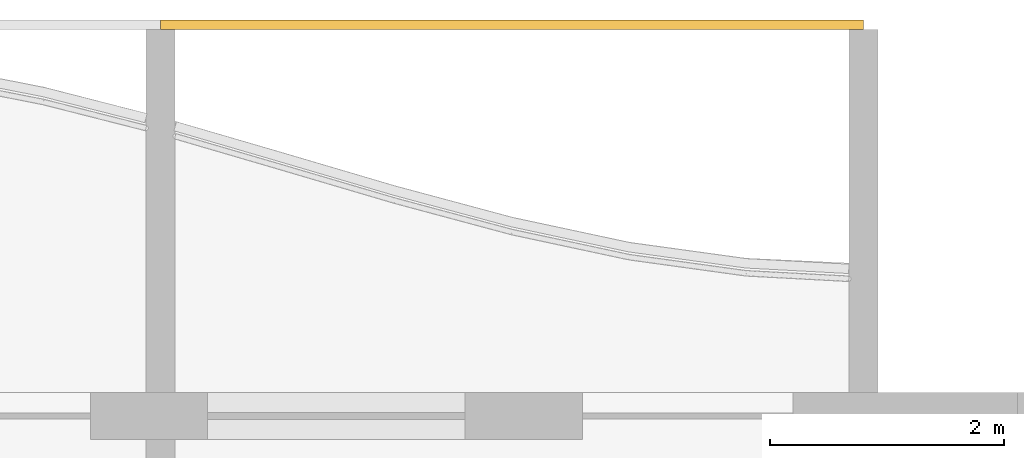
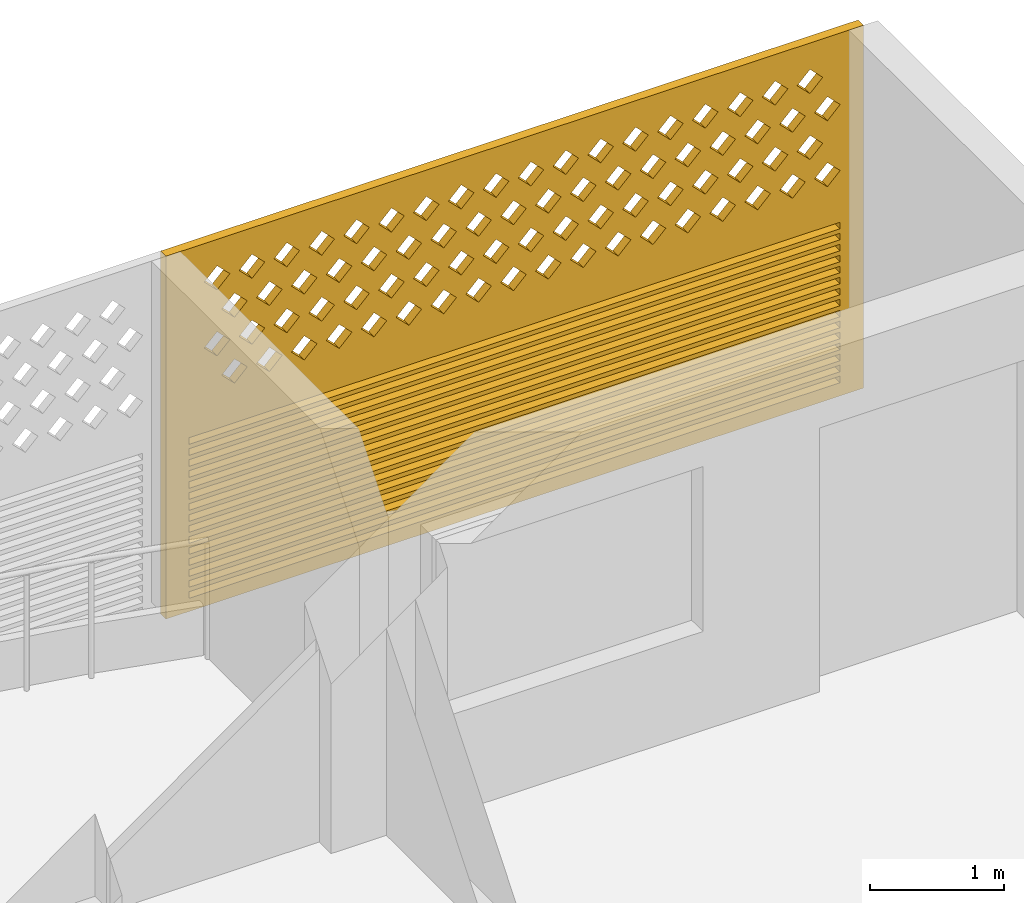
# One storey, part 27 of 27: 1 covering.
"""IFC4 building model written with IfcOpenShell, lengths in metres."""

import ifcopenshell
import ifcopenshell.guid

model = None  # the IFC model being written
_history = None  # IfcOwnerHistory: only IFC2X3 demands one
_inside = {}  # id of a spatial element -> (the spatial element, [elements in it])
_under = {}  # id of a project, library or spatial element -> (it, [spatial elements below it])
_declared = {}  # id of a project -> (the project, [libraries it declares])
_typed = {}  # id of a type object -> (the type object, [elements of that type])
_made_of = {}  # id of a material, layer set ... -> (it, [elements and type objects made of it])


def new_model(schema):
    """Start an empty IFC model of exactly this schema.

    Asked for "IFC4X3", IfcOpenShell would pick the latest addendum, in which some entities
    have other attributes; the version numbers below select the first issue.
    IFC2X3 requires an IfcOwnerHistory on every rooted entity: one is made here for all.
    """
    global model, _history
    if schema == "IFC4X3":
        model = ifcopenshell.file(schema_version=(4, 3, 0, 0))
    else:
        model = ifcopenshell.file(schema=schema)
    _inside.clear()
    _under.clear()
    _declared.clear()
    _typed.clear()
    _made_of.clear()
    _history = None
    if model.schema == "IFC2X3":
        org = make("IfcOrganization", Name="unknown")
        user = make(
            "IfcPersonAndOrganization",
            ThePerson=make("IfcPerson", FamilyName="unknown"),
            TheOrganization=org,
        )
        app = make(
            "IfcApplication",
            ApplicationDeveloper=org,
            Version="unknown",
            ApplicationFullName="unknown",
            ApplicationIdentifier="unknown",
        )
        _history = make(
            "IfcOwnerHistory",
            OwningUser=user,
            OwningApplication=app,
            ChangeAction="ADDED",
            CreationDate=0,
        )
    return model


def make(cls, **values):
    """One entity of the class cls with the attributes given. An attribute that is None is left unset."""
    return model.create_entity(
        cls, **{name: value for name, value in values.items() if value is not None}
    )


def rooted(cls, **values):
    """An entity with a GlobalId (a new one), such as an element, a storey or a relation."""
    return make(cls, GlobalId=ifcopenshell.guid.new(), OwnerHistory=_history, **values)


def si_unit(unit_type, name, prefix=None):
    """IfcSIUnit, for example si_unit("LENGTHUNIT", "METRE", prefix="MILLI")."""
    return make("IfcSIUnit", UnitType=unit_type, Prefix=prefix, Name=name)


def assignment(units):
    """IfcUnitAssignment: the units of a project."""
    return None if units is None else make("IfcUnitAssignment", Units=units)


def point(xyz):
    """IfcCartesianPoint."""
    return None if xyz is None else make("IfcCartesianPoint", Coordinates=xyz)


def direction(xyz):
    """IfcDirection."""
    return None if xyz is None else make("IfcDirection", DirectionRatios=xyz)


def frame(location, z_axis=None, x_axis=None):
    """IfcAxis2Placement3D, a coordinate frame: its origin and axes. An axis left out is left unset."""
    return make(
        "IfcAxis2Placement3D",
        Location=point(location),
        Axis=direction(z_axis),
        RefDirection=direction(x_axis),
    )


def origin():
    """The frame at (0, 0, 0) with its axes left unset."""
    return frame((0.0, 0.0, 0.0))


def place(relative_to, where):
    """IfcLocalPlacement: puts the frame where relative to a parent placement (None: the world)."""
    return make(
        "IfcLocalPlacement", PlacementRelTo=relative_to, RelativePlacement=where
    )


def context(
    kind, dimensions, precision=None, world=None, true_north=None, identifier=None
):
    """IfcGeometricRepresentationContext, for example the 3D "Model" context."""
    return make(
        "IfcGeometricRepresentationContext",
        ContextIdentifier=identifier,
        ContextType=kind,
        CoordinateSpaceDimension=dimensions,
        Precision=precision,
        WorldCoordinateSystem=world,
        TrueNorth=true_north,
    )


def subcontext(parent, identifier, kind, view, scale=None):
    """IfcGeometricRepresentationSubContext, for example "Body" below "Model"."""
    return make(
        "IfcGeometricRepresentationSubContext",
        ContextIdentifier=identifier,
        ContextType=kind,
        ParentContext=parent,
        TargetScale=scale,
        TargetView=view,
    )


def project(units=None, contexts=None):
    """IfcProject with its units and contexts."""
    return rooted(
        "IfcProject",
        Name="project",
        RepresentationContexts=contexts,
        UnitsInContext=assignment(units),
    )


def spatial(cls, under=None, at=None, **own):
    """A site, building, storey or space (cls), placed at a placement, below another one or the project."""
    s = rooted(cls, ObjectPlacement=at, **own)
    if under is not None:
        _under.setdefault(under.id(), (under, []))[1].append(s)
    return s


def polyline(points):
    """IfcPolyline through the points."""
    return make("IfcPolyline", Points=[point(p) for p in points])


def outline(outer, holes=None, kind="AREA"):
    """IfcArbitraryClosedProfileDef: a profile drawn as a closed curve; with holes, ...WithVoids."""
    if holes is None:
        return make("IfcArbitraryClosedProfileDef", ProfileType=kind, OuterCurve=outer)
    return make(
        "IfcArbitraryProfileDefWithVoids",
        ProfileType=kind,
        OuterCurve=outer,
        InnerCurves=holes,
    )


def extrude(swept, where, along, depth):
    """IfcExtrudedAreaSolid: the profile swept, set in the frame where, extruded along a direction by depth."""
    return make(
        "IfcExtrudedAreaSolid",
        SweptArea=swept,
        Position=where,
        ExtrudedDirection=direction(along),
        Depth=depth,
    )


def shape(context_of_items, identifier, shape_type, items):
    """IfcShapeRepresentation: the items that make up one representation, for example the "Body"."""
    return make(
        "IfcShapeRepresentation",
        ContextOfItems=context_of_items,
        RepresentationIdentifier=identifier,
        RepresentationType=shape_type,
        Items=items,
    )


def source(mapping_origin, context_of_items, identifier, shape_type, items):
    """IfcRepresentationMap: a shape defined once, which mapped items show again and again."""
    return make(
        "IfcRepresentationMap",
        MappingOrigin=mapping_origin,
        MappedRepresentation=shape(context_of_items, identifier, shape_type, items),
    )


def transform(
    local_origin,
    x_axis=None,
    y_axis=None,
    z_axis=None,
    scale=None,
    scale2=None,
    scale3=None,
    uniform=True,
):
    """IfcCartesianTransformationOperator3D, or its non-uniform kind. x_axis, y_axis, z_axis: its Axis1, 2, 3."""
    if uniform:
        return make(
            "IfcCartesianTransformationOperator3D",
            Axis1=direction(x_axis),
            Axis2=direction(y_axis),
            LocalOrigin=point(local_origin),
            Scale=scale,
            Axis3=direction(z_axis),
        )
    return make(
        "IfcCartesianTransformationOperator3DnonUniform",
        Axis1=direction(x_axis),
        Axis2=direction(y_axis),
        LocalOrigin=point(local_origin),
        Scale=scale,
        Axis3=direction(z_axis),
        Scale2=scale2,
        Scale3=scale3,
    )


def mapped(mapping_source, mapping_target):
    """IfcMappedItem: shows the shape of a source again, moved by a transform."""
    return make(
        "IfcMappedItem", MappingSource=mapping_source, MappingTarget=mapping_target
    )


def material(Name=None, Category=None):
    """IfcMaterial."""
    return make("IfcMaterial", Name=Name, Category=Category)


def material_profile(
    of_material, cross_section, Name=None, Category=None, Priority=None
):
    """IfcMaterialProfile: a cross section and its material."""
    return make(
        "IfcMaterialProfile",
        Name=Name,
        Material=of_material,
        Profile=cross_section,
        Priority=Priority,
        Category=Category,
    )


def profile_set(profiles, Name=None, composite=None):
    """IfcMaterialProfileSet."""
    return make(
        "IfcMaterialProfileSet",
        Name=Name,
        MaterialProfiles=profiles,
        CompositeProfile=composite,
    )


def made_of(thing, what):
    """Note that an element or type object is made of a material, layer set ...; save() writes the relation."""
    if what is not None:
        _made_of.setdefault(what.id(), (what, []))[1].append(thing)
    return thing


def type_object(cls, material=None, **own):
    """A type object (cls), such as IfcWallType, which elements share."""
    return made_of(rooted(cls, **own), material)


def element(
    cls,
    number,
    at=None,
    inside=None,
    cuts=None,
    type_object=None,
    material=None,
    context=None,
    identifier="Body",
    shape_type=None,
    held_by="IfcProductDefinitionShape",
    body=None,
    shapes=None,
    **own,
):
    """One element of the class cls, such as IfcWall. Its Tag is "e" and its number.

    at: its placement. inside: the storey or other place that contains it. cuts: it is an
    opening in that element (IfcRelVoidsElement). A single representation is given by context,
    identifier, shape_type and body (its items); several are given by shapes. held_by: the class
    of the entity that holds the representations. save() writes the other relations.
    """
    e = rooted(cls, Tag="e%d" % number, ObjectPlacement=at, **own)
    if body is not None:
        shapes = [shape(context, identifier, shape_type, body)]
    if shapes is not None:
        e.Representation = make(held_by, Representations=shapes)
    if inside is not None:
        _inside.setdefault(inside.id(), (inside, []))[1].append(e)
    if cuts is not None:
        rooted(
            "IfcRelVoidsElement", RelatingBuildingElement=cuts, RelatedOpeningElement=e
        )
    if type_object is not None:
        _typed.setdefault(type_object.id(), (type_object, []))[1].append(e)
    return made_of(e, material)


def aggregate(whole, parts):
    """IfcRelAggregates: a whole, such as a stair, and the parts it consists of."""
    return rooted("IfcRelAggregates", RelatingObject=whole, RelatedObjects=parts)


def save(model, path):
    """Write the relations noted so far, then the file.

    IfcRelAggregates (storeys below a building ...), IfcRelContainedInSpatialStructure (elements
    in a storey), IfcRelDefinesByType, IfcRelAssociatesMaterial and IfcRelDeclares: one each for
    every whole, place, type object, material and project.
    """
    for whole, parts in _under.values():
        aggregate(whole, parts)
    for where, things in _inside.values():
        rooted(
            "IfcRelContainedInSpatialStructure",
            RelatedElements=things,
            RelatingStructure=where,
        )
    for kind, things in _typed.values():
        rooted("IfcRelDefinesByType", RelatedObjects=things, RelatingType=kind)
    for what, things in _made_of.values():
        rooted("IfcRelAssociatesMaterial", RelatedObjects=things, RelatingMaterial=what)
    for by, libraries in _declared.values():
        rooted("IfcRelDeclares", RelatingContext=by, RelatedDefinitions=libraries)
    model.write(path)


model = new_model("IFC4")

# Units and contexts
model_context = context("Model", 3, precision=1e-05, world=origin(), true_north=direction((0.0, 1.0)))
body_context = subcontext(model_context, "Body", "Model", "MODEL_VIEW")
ifc_project = project(units=[si_unit("LENGTHUNIT", "METRE"), si_unit("AREAUNIT", "SQUARE_METRE"), si_unit("VOLUMEUNIT", "CUBIC_METRE"), si_unit("PLANEANGLEUNIT", "RADIAN"), si_unit("MASSUNIT", "GRAM", prefix="KILO")], contexts=[model_context])

# Site, building, storey
site_placement = place(None, origin())
site = spatial("IfcSite", under=ifc_project, at=site_placement, CompositionType="ELEMENT")
building_placement = place(site_placement, origin())
building = spatial("IfcBuilding", under=site, at=building_placement, Name="Poui Terraces", CompositionType="ELEMENT")
storey_placement = place(building_placement, frame((0.0, 0.0, 251.10009765625)))
storey = spatial("IfcBuildingStorey", under=building, at=storey_placement, Name="L70", CompositionType="ELEMENT", Elevation=251.10009765625)

# Covering
ifc_material = material(Name="Terracotta screen", Category="masonry")
ifc_material_profile = material_profile(ifc_material, outline(polyline([(-3.0, -1.64990234375), (3.0, -1.64990234375), (3.0, 1.64990234375), (-3.0, 1.64990234375), (-3.0, -1.64990234375)]), holes=[polyline([(-2.800048828125, 0.39990234375), (-2.68994140625, 0.2900390625), (-2.580078125, 0.39990234375), (-2.68994140625, 0.510009765625), (-2.800048828125, 0.39990234375)]), polyline([(-2.5, 0.39990234375), (-2.389892578125, 0.2900390625), (-2.280029296875, 0.39990234375), (-2.389892578125, 0.510009765625), (-2.5, 0.39990234375)]), polyline([(-2.199951171875, 0.39990234375), (-2.090087890625, 0.2900390625), (-1.97998046875, 0.39990234375), (-2.090087890625, 0.510009765625), (-2.199951171875, 0.39990234375)]), polyline([(-1.89990234375, 0.39990234375), (-1.7900390625, 0.2900390625), (-1.679931640625, 0.39990234375), (-1.7900390625, 0.510009765625), (-1.89990234375, 0.39990234375)]), polyline([(-1.60009765625, 0.39990234375), (-1.489990234375, 0.2900390625), (-1.3798828125, 0.39990234375), (-1.489990234375, 0.510009765625), (-1.60009765625, 0.39990234375)]), polyline([(-1.300048828125, 0.39990234375), (-1.18994140625, 0.2900390625), (-1.080078125, 0.39990234375), (-1.18994140625, 0.510009765625), (-1.300048828125, 0.39990234375)]), polyline([(-1.0, 0.39990234375), (-0.889892578125, 0.2900390625), (-0.780029296875, 0.39990234375), (-0.889892578125, 0.510009765625), (-1.0, 0.39990234375)]), polyline([(-0.699951171875, 0.39990234375), (-0.590087890625, 0.2900390625), (-0.47998046875, 0.39990234375), (-0.590087890625, 0.510009765625), (-0.699951171875, 0.39990234375)]), polyline([(-0.39990234375, 0.39990234375), (-0.2900390625, 0.2900390625), (-0.179931640625, 0.39990234375), (-0.2900390625, 0.510009765625), (-0.39990234375, 0.39990234375)]), polyline([(-0.10009765625, 0.39990234375), (0.010009765625, 0.2900390625), (0.1201171875, 0.39990234375), (0.010009765625, 0.510009765625), (-0.10009765625, 0.39990234375)]), polyline([(0.199951171875, 0.39990234375), (0.31005859375, 0.2900390625), (0.419921875, 0.39990234375), (0.31005859375, 0.510009765625), (0.199951171875, 0.39990234375)]), polyline([(0.5, 0.39990234375), (0.610107421875, 0.2900390625), (0.719970703125, 0.39990234375), (0.610107421875, 0.510009765625), (0.5, 0.39990234375)]), polyline([(0.800048828125, 0.39990234375), (0.909912109375, 0.2900390625), (1.02001953125, 0.39990234375), (0.909912109375, 0.510009765625), (0.800048828125, 0.39990234375)]), polyline([(1.10009765625, 0.39990234375), (1.2099609375, 0.2900390625), (1.320068359375, 0.39990234375), (1.2099609375, 0.510009765625), (1.10009765625, 0.39990234375)]), polyline([(1.39990234375, 0.39990234375), (1.510009765625, 0.2900390625), (1.6201171875, 0.39990234375), (1.510009765625, 0.510009765625), (1.39990234375, 0.39990234375)]), polyline([(1.699951171875, 0.39990234375), (1.81005859375, 0.2900390625), (1.919921875, 0.39990234375), (1.81005859375, 0.510009765625), (1.699951171875, 0.39990234375)]), polyline([(2.0, 0.39990234375), (2.110107421875, 0.2900390625), (2.219970703125, 0.39990234375), (2.110107421875, 0.510009765625), (2.0, 0.39990234375)]), polyline([(2.300048828125, 0.39990234375), (2.409912109375, 0.2900390625), (2.52001953125, 0.39990234375), (2.409912109375, 0.510009765625), (2.300048828125, 0.39990234375)]), polyline([(-2.64990234375, 0.699951171875), (-2.5400390625, 0.590087890625), (-2.429931640625, 0.699951171875), (-2.5400390625, 0.81005859375), (-2.64990234375, 0.699951171875)]), polyline([(-2.35009765625, 0.699951171875), (-2.239990234375, 0.590087890625), (-2.1298828125, 0.699951171875), (-2.239990234375, 0.81005859375), (-2.35009765625, 0.699951171875)]), polyline([(-2.050048828125, 0.699951171875), (-1.93994140625, 0.590087890625), (-1.830078125, 0.699951171875), (-1.93994140625, 0.81005859375), (-2.050048828125, 0.699951171875)]), polyline([(-1.75, 0.699951171875), (-1.639892578125, 0.590087890625), (-1.530029296875, 0.699951171875), (-1.639892578125, 0.81005859375), (-1.75, 0.699951171875)]), polyline([(-1.449951171875, 0.699951171875), (-1.340087890625, 0.590087890625), (-1.22998046875, 0.699951171875), (-1.340087890625, 0.81005859375), (-1.449951171875, 0.699951171875)]), polyline([(-1.14990234375, 0.699951171875), (-1.0400390625, 0.590087890625), (-0.929931640625, 0.699951171875), (-1.0400390625, 0.81005859375), (-1.14990234375, 0.699951171875)]), polyline([(-0.85009765625, 0.699951171875), (-0.739990234375, 0.590087890625), (-0.6298828125, 0.699951171875), (-0.739990234375, 0.81005859375), (-0.85009765625, 0.699951171875)]), polyline([(-0.550048828125, 0.699951171875), (-0.43994140625, 0.590087890625), (-0.330078125, 0.699951171875), (-0.43994140625, 0.81005859375), (-0.550048828125, 0.699951171875)]), polyline([(-0.25, 0.699951171875), (-0.139892578125, 0.590087890625), (-0.030029296875, 0.699951171875), (-0.139892578125, 0.81005859375), (-0.25, 0.699951171875)]), polyline([(0.050048828125, 0.699951171875), (0.159912109375, 0.590087890625), (0.27001953125, 0.699951171875), (0.159912109375, 0.81005859375), (0.050048828125, 0.699951171875)]), polyline([(0.35009765625, 0.699951171875), (0.4599609375, 0.590087890625), (0.570068359375, 0.699951171875), (0.4599609375, 0.81005859375), (0.35009765625, 0.699951171875)]), polyline([(0.64990234375, 0.699951171875), (0.760009765625, 0.590087890625), (0.8701171875, 0.699951171875), (0.760009765625, 0.81005859375), (0.64990234375, 0.699951171875)]), polyline([(0.949951171875, 0.699951171875), (1.06005859375, 0.590087890625), (1.169921875, 0.699951171875), (1.06005859375, 0.81005859375), (0.949951171875, 0.699951171875)]), polyline([(1.25, 0.699951171875), (1.360107421875, 0.590087890625), (1.469970703125, 0.699951171875), (1.360107421875, 0.81005859375), (1.25, 0.699951171875)]), polyline([(1.550048828125, 0.699951171875), (1.659912109375, 0.590087890625), (1.77001953125, 0.699951171875), (1.659912109375, 0.81005859375), (1.550048828125, 0.699951171875)]), polyline([(1.85009765625, 0.699951171875), (1.9599609375, 0.590087890625), (2.070068359375, 0.699951171875), (1.9599609375, 0.81005859375), (1.85009765625, 0.699951171875)]), polyline([(2.14990234375, 0.699951171875), (2.260009765625, 0.590087890625), (2.3701171875, 0.699951171875), (2.260009765625, 0.81005859375), (2.14990234375, 0.699951171875)]), polyline([(2.449951171875, 0.699951171875), (2.56005859375, 0.590087890625), (2.669921875, 0.699951171875), (2.56005859375, 0.81005859375), (2.449951171875, 0.699951171875)]), polyline([(-2.800048828125, 1.0), (-2.68994140625, 0.889892578125), (-2.580078125, 1.0), (-2.68994140625, 1.110107421875), (-2.800048828125, 1.0)]), polyline([(-2.5, 1.0), (-2.389892578125, 0.889892578125), (-2.280029296875, 1.0), (-2.389892578125, 1.110107421875), (-2.5, 1.0)]), polyline([(-2.199951171875, 1.0), (-2.090087890625, 0.889892578125), (-1.97998046875, 1.0), (-2.090087890625, 1.110107421875), (-2.199951171875, 1.0)]), polyline([(-1.89990234375, 1.0), (-1.7900390625, 0.889892578125), (-1.679931640625, 1.0), (-1.7900390625, 1.110107421875), (-1.89990234375, 1.0)]), polyline([(-1.60009765625, 1.0), (-1.489990234375, 0.889892578125), (-1.3798828125, 1.0), (-1.489990234375, 1.110107421875), (-1.60009765625, 1.0)]), polyline([(-1.300048828125, 1.0), (-1.18994140625, 0.889892578125), (-1.080078125, 1.0), (-1.18994140625, 1.110107421875), (-1.300048828125, 1.0)]), polyline([(-1.0, 1.0), (-0.889892578125, 0.889892578125), (-0.780029296875, 1.0), (-0.889892578125, 1.110107421875), (-1.0, 1.0)]), polyline([(-0.699951171875, 1.0), (-0.590087890625, 0.889892578125), (-0.47998046875, 1.0), (-0.590087890625, 1.110107421875), (-0.699951171875, 1.0)]), polyline([(-0.39990234375, 1.0), (-0.2900390625, 0.889892578125), (-0.179931640625, 1.0), (-0.2900390625, 1.110107421875), (-0.39990234375, 1.0)]), polyline([(-0.10009765625, 1.0), (0.010009765625, 0.889892578125), (0.1201171875, 1.0), (0.010009765625, 1.110107421875), (-0.10009765625, 1.0)]), polyline([(0.199951171875, 1.0), (0.31005859375, 0.889892578125), (0.419921875, 1.0), (0.31005859375, 1.110107421875), (0.199951171875, 1.0)]), polyline([(0.5, 1.0), (0.610107421875, 0.889892578125), (0.719970703125, 1.0), (0.610107421875, 1.110107421875), (0.5, 1.0)]), polyline([(0.800048828125, 1.0), (0.909912109375, 0.889892578125), (1.02001953125, 1.0), (0.909912109375, 1.110107421875), (0.800048828125, 1.0)]), polyline([(1.10009765625, 1.0), (1.2099609375, 0.889892578125), (1.320068359375, 1.0), (1.2099609375, 1.110107421875), (1.10009765625, 1.0)]), polyline([(1.39990234375, 1.0), (1.510009765625, 0.889892578125), (1.6201171875, 1.0), (1.510009765625, 1.110107421875), (1.39990234375, 1.0)]), polyline([(1.699951171875, 1.0), (1.81005859375, 0.889892578125), (1.919921875, 1.0), (1.81005859375, 1.110107421875), (1.699951171875, 1.0)]), polyline([(2.0, 1.0), (2.110107421875, 0.889892578125), (2.219970703125, 1.0), (2.110107421875, 1.110107421875), (2.0, 1.0)]), polyline([(2.300048828125, 1.0), (2.409912109375, 0.889892578125), (2.52001953125, 1.0), (2.409912109375, 1.110107421875), (2.300048828125, 1.0)]), polyline([(-2.64990234375, 1.300048828125), (-2.5400390625, 1.18994140625), (-2.429931640625, 1.300048828125), (-2.5400390625, 1.409912109375), (-2.64990234375, 1.300048828125)]), polyline([(-2.35009765625, 1.300048828125), (-2.239990234375, 1.18994140625), (-2.1298828125, 1.300048828125), (-2.239990234375, 1.409912109375), (-2.35009765625, 1.300048828125)]), polyline([(-2.050048828125, 1.300048828125), (-1.93994140625, 1.18994140625), (-1.830078125, 1.300048828125), (-1.93994140625, 1.409912109375), (-2.050048828125, 1.300048828125)]), polyline([(-1.75, 1.300048828125), (-1.639892578125, 1.18994140625), (-1.530029296875, 1.300048828125), (-1.639892578125, 1.409912109375), (-1.75, 1.300048828125)]), polyline([(-1.449951171875, 1.300048828125), (-1.340087890625, 1.18994140625), (-1.22998046875, 1.300048828125), (-1.340087890625, 1.409912109375), (-1.449951171875, 1.300048828125)]), polyline([(-1.14990234375, 1.300048828125), (-1.0400390625, 1.18994140625), (-0.929931640625, 1.300048828125), (-1.0400390625, 1.409912109375), (-1.14990234375, 1.300048828125)]), polyline([(-0.85009765625, 1.300048828125), (-0.739990234375, 1.18994140625), (-0.6298828125, 1.300048828125), (-0.739990234375, 1.409912109375), (-0.85009765625, 1.300048828125)]), polyline([(-0.550048828125, 1.300048828125), (-0.43994140625, 1.18994140625), (-0.330078125, 1.300048828125), (-0.43994140625, 1.409912109375), (-0.550048828125, 1.300048828125)]), polyline([(-0.25, 1.300048828125), (-0.139892578125, 1.18994140625), (-0.030029296875, 1.300048828125), (-0.139892578125, 1.409912109375), (-0.25, 1.300048828125)]), polyline([(0.050048828125, 1.300048828125), (0.159912109375, 1.18994140625), (0.27001953125, 1.300048828125), (0.159912109375, 1.409912109375), (0.050048828125, 1.300048828125)]), polyline([(0.35009765625, 1.300048828125), (0.4599609375, 1.18994140625), (0.570068359375, 1.300048828125), (0.4599609375, 1.409912109375), (0.35009765625, 1.300048828125)]), polyline([(0.64990234375, 1.300048828125), (0.760009765625, 1.18994140625), (0.8701171875, 1.300048828125), (0.760009765625, 1.409912109375), (0.64990234375, 1.300048828125)]), polyline([(0.949951171875, 1.300048828125), (1.06005859375, 1.18994140625), (1.169921875, 1.300048828125), (1.06005859375, 1.409912109375), (0.949951171875, 1.300048828125)]), polyline([(1.25, 1.300048828125), (1.360107421875, 1.18994140625), (1.469970703125, 1.300048828125), (1.360107421875, 1.409912109375), (1.25, 1.300048828125)]), polyline([(1.550048828125, 1.300048828125), (1.659912109375, 1.18994140625), (1.77001953125, 1.300048828125), (1.659912109375, 1.409912109375), (1.550048828125, 1.300048828125)]), polyline([(1.85009765625, 1.300048828125), (1.9599609375, 1.18994140625), (2.070068359375, 1.300048828125), (1.9599609375, 1.409912109375), (1.85009765625, 1.300048828125)]), polyline([(2.14990234375, 1.300048828125), (2.260009765625, 1.18994140625), (2.3701171875, 1.300048828125), (2.260009765625, 1.409912109375), (2.14990234375, 1.300048828125)]), polyline([(2.449951171875, 1.300048828125), (2.56005859375, 1.18994140625), (2.669921875, 1.300048828125), (2.56005859375, 1.409912109375), (2.449951171875, 1.300048828125)]), polyline([(-2.800048828125, -1.530029296875), (2.800048828125, -1.530029296875), (2.800048828125, -1.469970703125), (-2.800048828125, -1.469970703125), (-2.800048828125, -1.530029296875)]), polyline([(-2.800048828125, -1.429931640625), (2.800048828125, -1.429931640625), (2.800048828125, -1.3701171875), (-2.800048828125, -1.3701171875), (-2.800048828125, -1.429931640625)]), polyline([(-2.800048828125, -1.330078125), (2.800048828125, -1.330078125), (2.800048828125, -1.27001953125), (-2.800048828125, -1.27001953125), (-2.800048828125, -1.330078125)]), polyline([(-2.800048828125, -1.22998046875), (2.800048828125, -1.22998046875), (2.800048828125, -1.169921875), (-2.800048828125, -1.169921875), (-2.800048828125, -1.22998046875)]), polyline([(-2.800048828125, -1.1298828125), (2.800048828125, -1.1298828125), (2.800048828125, -1.070068359375), (-2.800048828125, -1.070068359375), (-2.800048828125, -1.1298828125)]), polyline([(-2.800048828125, -1.030029296875), (2.800048828125, -1.030029296875), (2.800048828125, -0.969970703125), (-2.800048828125, -0.969970703125), (-2.800048828125, -1.030029296875)]), polyline([(-2.800048828125, -0.929931640625), (2.800048828125, -0.929931640625), (2.800048828125, -0.8701171875), (-2.800048828125, -0.8701171875), (-2.800048828125, -0.929931640625)]), polyline([(-2.800048828125, -0.830078125), (2.800048828125, -0.830078125), (2.800048828125, -0.77001953125), (-2.800048828125, -0.77001953125), (-2.800048828125, -0.830078125)]), polyline([(-2.800048828125, -0.72998046875), (2.800048828125, -0.72998046875), (2.800048828125, -0.669921875), (-2.800048828125, -0.669921875), (-2.800048828125, -0.72998046875)]), polyline([(-2.800048828125, -0.6298828125), (2.800048828125, -0.6298828125), (2.800048828125, -0.570068359375), (-2.800048828125, -0.570068359375), (-2.800048828125, -0.6298828125)]), polyline([(-2.800048828125, -0.530029296875), (2.800048828125, -0.530029296875), (2.800048828125, -0.469970703125), (-2.800048828125, -0.469970703125), (-2.800048828125, -0.530029296875)]), polyline([(-2.800048828125, -0.429931640625), (2.800048828125, -0.429931640625), (2.800048828125, -0.3701171875), (-2.800048828125, -0.3701171875), (-2.800048828125, -0.429931640625)]), polyline([(-2.800048828125, -0.330078125), (2.800048828125, -0.330078125), (2.800048828125, -0.27001953125), (-2.800048828125, -0.27001953125), (-2.800048828125, -0.330078125)]), polyline([(-2.800048828125, -0.22998046875), (2.800048828125, -0.22998046875), (2.800048828125, -0.169921875), (-2.800048828125, -0.169921875), (-2.800048828125, -0.22998046875)]), polyline([(-2.800048828125, -0.1298828125), (2.800048828125, -0.1298828125), (2.800048828125, -0.070068359375), (-2.800048828125, -0.070068359375), (-2.800048828125, -0.1298828125)])]), Name="TERRACOTTA SCREEN AND JALOUSIE LOUVRE 6000X3300")
ifc_profile_set = profile_set([ifc_material_profile], Name="Terracotta screen")
covering_type = type_object("IfcCoveringType", Name="TERRACOTTA SCREEN AND JALOUSIE LOUVRE 6000X3300", PredefinedType="CLADDING", material=ifc_profile_set)
shared_shape = source(origin(), body_context, "Body", "SweptSolid", [
    extrude(outline(polyline([(-3.0, -1.64990234375), (3.0, -1.64990234375), (3.0, 1.64990234375), (-3.0, 1.64990234375), (-3.0, -1.64990234375)]), holes=[polyline([(-2.800048828125, 0.39990234375), (-2.68994140625, 0.2900390625), (-2.580078125, 0.39990234375), (-2.68994140625, 0.510009765625), (-2.800048828125, 0.39990234375)]), polyline([(-2.5, 0.39990234375), (-2.389892578125, 0.2900390625), (-2.280029296875, 0.39990234375), (-2.389892578125, 0.510009765625), (-2.5, 0.39990234375)]), polyline([(-2.199951171875, 0.39990234375), (-2.090087890625, 0.2900390625), (-1.97998046875, 0.39990234375), (-2.090087890625, 0.510009765625), (-2.199951171875, 0.39990234375)]), polyline([(-1.89990234375, 0.39990234375), (-1.7900390625, 0.2900390625), (-1.679931640625, 0.39990234375), (-1.7900390625, 0.510009765625), (-1.89990234375, 0.39990234375)]), polyline([(-1.60009765625, 0.39990234375), (-1.489990234375, 0.2900390625), (-1.3798828125, 0.39990234375), (-1.489990234375, 0.510009765625), (-1.60009765625, 0.39990234375)]), polyline([(-1.300048828125, 0.39990234375), (-1.18994140625, 0.2900390625), (-1.080078125, 0.39990234375), (-1.18994140625, 0.510009765625), (-1.300048828125, 0.39990234375)]), polyline([(-1.0, 0.39990234375), (-0.889892578125, 0.2900390625), (-0.780029296875, 0.39990234375), (-0.889892578125, 0.510009765625), (-1.0, 0.39990234375)]), polyline([(-0.699951171875, 0.39990234375), (-0.590087890625, 0.2900390625), (-0.47998046875, 0.39990234375), (-0.590087890625, 0.510009765625), (-0.699951171875, 0.39990234375)]), polyline([(-0.39990234375, 0.39990234375), (-0.2900390625, 0.2900390625), (-0.179931640625, 0.39990234375), (-0.2900390625, 0.510009765625), (-0.39990234375, 0.39990234375)]), polyline([(-0.10009765625, 0.39990234375), (0.010009765625, 0.2900390625), (0.1201171875, 0.39990234375), (0.010009765625, 0.510009765625), (-0.10009765625, 0.39990234375)]), polyline([(0.199951171875, 0.39990234375), (0.31005859375, 0.2900390625), (0.419921875, 0.39990234375), (0.31005859375, 0.510009765625), (0.199951171875, 0.39990234375)]), polyline([(0.5, 0.39990234375), (0.610107421875, 0.2900390625), (0.719970703125, 0.39990234375), (0.610107421875, 0.510009765625), (0.5, 0.39990234375)]), polyline([(0.800048828125, 0.39990234375), (0.909912109375, 0.2900390625), (1.02001953125, 0.39990234375), (0.909912109375, 0.510009765625), (0.800048828125, 0.39990234375)]), polyline([(1.10009765625, 0.39990234375), (1.2099609375, 0.2900390625), (1.320068359375, 0.39990234375), (1.2099609375, 0.510009765625), (1.10009765625, 0.39990234375)]), polyline([(1.39990234375, 0.39990234375), (1.510009765625, 0.2900390625), (1.6201171875, 0.39990234375), (1.510009765625, 0.510009765625), (1.39990234375, 0.39990234375)]), polyline([(1.699951171875, 0.39990234375), (1.81005859375, 0.2900390625), (1.919921875, 0.39990234375), (1.81005859375, 0.510009765625), (1.699951171875, 0.39990234375)]), polyline([(2.0, 0.39990234375), (2.110107421875, 0.2900390625), (2.219970703125, 0.39990234375), (2.110107421875, 0.510009765625), (2.0, 0.39990234375)]), polyline([(2.300048828125, 0.39990234375), (2.409912109375, 0.2900390625), (2.52001953125, 0.39990234375), (2.409912109375, 0.510009765625), (2.300048828125, 0.39990234375)]), polyline([(-2.64990234375, 0.699951171875), (-2.5400390625, 0.590087890625), (-2.429931640625, 0.699951171875), (-2.5400390625, 0.81005859375), (-2.64990234375, 0.699951171875)]), polyline([(-2.35009765625, 0.699951171875), (-2.239990234375, 0.590087890625), (-2.1298828125, 0.699951171875), (-2.239990234375, 0.81005859375), (-2.35009765625, 0.699951171875)]), polyline([(-2.050048828125, 0.699951171875), (-1.93994140625, 0.590087890625), (-1.830078125, 0.699951171875), (-1.93994140625, 0.81005859375), (-2.050048828125, 0.699951171875)]), polyline([(-1.75, 0.699951171875), (-1.639892578125, 0.590087890625), (-1.530029296875, 0.699951171875), (-1.639892578125, 0.81005859375), (-1.75, 0.699951171875)]), polyline([(-1.449951171875, 0.699951171875), (-1.340087890625, 0.590087890625), (-1.22998046875, 0.699951171875), (-1.340087890625, 0.81005859375), (-1.449951171875, 0.699951171875)]), polyline([(-1.14990234375, 0.699951171875), (-1.0400390625, 0.590087890625), (-0.929931640625, 0.699951171875), (-1.0400390625, 0.81005859375), (-1.14990234375, 0.699951171875)]), polyline([(-0.85009765625, 0.699951171875), (-0.739990234375, 0.590087890625), (-0.6298828125, 0.699951171875), (-0.739990234375, 0.81005859375), (-0.85009765625, 0.699951171875)]), polyline([(-0.550048828125, 0.699951171875), (-0.43994140625, 0.590087890625), (-0.330078125, 0.699951171875), (-0.43994140625, 0.81005859375), (-0.550048828125, 0.699951171875)]), polyline([(-0.25, 0.699951171875), (-0.139892578125, 0.590087890625), (-0.030029296875, 0.699951171875), (-0.139892578125, 0.81005859375), (-0.25, 0.699951171875)]), polyline([(0.050048828125, 0.699951171875), (0.159912109375, 0.590087890625), (0.27001953125, 0.699951171875), (0.159912109375, 0.81005859375), (0.050048828125, 0.699951171875)]), polyline([(0.35009765625, 0.699951171875), (0.4599609375, 0.590087890625), (0.570068359375, 0.699951171875), (0.4599609375, 0.81005859375), (0.35009765625, 0.699951171875)]), polyline([(0.64990234375, 0.699951171875), (0.760009765625, 0.590087890625), (0.8701171875, 0.699951171875), (0.760009765625, 0.81005859375), (0.64990234375, 0.699951171875)]), polyline([(0.949951171875, 0.699951171875), (1.06005859375, 0.590087890625), (1.169921875, 0.699951171875), (1.06005859375, 0.81005859375), (0.949951171875, 0.699951171875)]), polyline([(1.25, 0.699951171875), (1.360107421875, 0.590087890625), (1.469970703125, 0.699951171875), (1.360107421875, 0.81005859375), (1.25, 0.699951171875)]), polyline([(1.550048828125, 0.699951171875), (1.659912109375, 0.590087890625), (1.77001953125, 0.699951171875), (1.659912109375, 0.81005859375), (1.550048828125, 0.699951171875)]), polyline([(1.85009765625, 0.699951171875), (1.9599609375, 0.590087890625), (2.070068359375, 0.699951171875), (1.9599609375, 0.81005859375), (1.85009765625, 0.699951171875)]), polyline([(2.14990234375, 0.699951171875), (2.260009765625, 0.590087890625), (2.3701171875, 0.699951171875), (2.260009765625, 0.81005859375), (2.14990234375, 0.699951171875)]), polyline([(2.449951171875, 0.699951171875), (2.56005859375, 0.590087890625), (2.669921875, 0.699951171875), (2.56005859375, 0.81005859375), (2.449951171875, 0.699951171875)]), polyline([(-2.800048828125, 1.0), (-2.68994140625, 0.889892578125), (-2.580078125, 1.0), (-2.68994140625, 1.110107421875), (-2.800048828125, 1.0)]), polyline([(-2.5, 1.0), (-2.389892578125, 0.889892578125), (-2.280029296875, 1.0), (-2.389892578125, 1.110107421875), (-2.5, 1.0)]), polyline([(-2.199951171875, 1.0), (-2.090087890625, 0.889892578125), (-1.97998046875, 1.0), (-2.090087890625, 1.110107421875), (-2.199951171875, 1.0)]), polyline([(-1.89990234375, 1.0), (-1.7900390625, 0.889892578125), (-1.679931640625, 1.0), (-1.7900390625, 1.110107421875), (-1.89990234375, 1.0)]), polyline([(-1.60009765625, 1.0), (-1.489990234375, 0.889892578125), (-1.3798828125, 1.0), (-1.489990234375, 1.110107421875), (-1.60009765625, 1.0)]), polyline([(-1.300048828125, 1.0), (-1.18994140625, 0.889892578125), (-1.080078125, 1.0), (-1.18994140625, 1.110107421875), (-1.300048828125, 1.0)]), polyline([(-1.0, 1.0), (-0.889892578125, 0.889892578125), (-0.780029296875, 1.0), (-0.889892578125, 1.110107421875), (-1.0, 1.0)]), polyline([(-0.699951171875, 1.0), (-0.590087890625, 0.889892578125), (-0.47998046875, 1.0), (-0.590087890625, 1.110107421875), (-0.699951171875, 1.0)]), polyline([(-0.39990234375, 1.0), (-0.2900390625, 0.889892578125), (-0.179931640625, 1.0), (-0.2900390625, 1.110107421875), (-0.39990234375, 1.0)]), polyline([(-0.10009765625, 1.0), (0.010009765625, 0.889892578125), (0.1201171875, 1.0), (0.010009765625, 1.110107421875), (-0.10009765625, 1.0)]), polyline([(0.199951171875, 1.0), (0.31005859375, 0.889892578125), (0.419921875, 1.0), (0.31005859375, 1.110107421875), (0.199951171875, 1.0)]), polyline([(0.5, 1.0), (0.610107421875, 0.889892578125), (0.719970703125, 1.0), (0.610107421875, 1.110107421875), (0.5, 1.0)]), polyline([(0.800048828125, 1.0), (0.909912109375, 0.889892578125), (1.02001953125, 1.0), (0.909912109375, 1.110107421875), (0.800048828125, 1.0)]), polyline([(1.10009765625, 1.0), (1.2099609375, 0.889892578125), (1.320068359375, 1.0), (1.2099609375, 1.110107421875), (1.10009765625, 1.0)]), polyline([(1.39990234375, 1.0), (1.510009765625, 0.889892578125), (1.6201171875, 1.0), (1.510009765625, 1.110107421875), (1.39990234375, 1.0)]), polyline([(1.699951171875, 1.0), (1.81005859375, 0.889892578125), (1.919921875, 1.0), (1.81005859375, 1.110107421875), (1.699951171875, 1.0)]), polyline([(2.0, 1.0), (2.110107421875, 0.889892578125), (2.219970703125, 1.0), (2.110107421875, 1.110107421875), (2.0, 1.0)]), polyline([(2.300048828125, 1.0), (2.409912109375, 0.889892578125), (2.52001953125, 1.0), (2.409912109375, 1.110107421875), (2.300048828125, 1.0)]), polyline([(-2.64990234375, 1.300048828125), (-2.5400390625, 1.18994140625), (-2.429931640625, 1.300048828125), (-2.5400390625, 1.409912109375), (-2.64990234375, 1.300048828125)]), polyline([(-2.35009765625, 1.300048828125), (-2.239990234375, 1.18994140625), (-2.1298828125, 1.300048828125), (-2.239990234375, 1.409912109375), (-2.35009765625, 1.300048828125)]), polyline([(-2.050048828125, 1.300048828125), (-1.93994140625, 1.18994140625), (-1.830078125, 1.300048828125), (-1.93994140625, 1.409912109375), (-2.050048828125, 1.300048828125)]), polyline([(-1.75, 1.300048828125), (-1.639892578125, 1.18994140625), (-1.530029296875, 1.300048828125), (-1.639892578125, 1.409912109375), (-1.75, 1.300048828125)]), polyline([(-1.449951171875, 1.300048828125), (-1.340087890625, 1.18994140625), (-1.22998046875, 1.300048828125), (-1.340087890625, 1.409912109375), (-1.449951171875, 1.300048828125)]), polyline([(-1.14990234375, 1.300048828125), (-1.0400390625, 1.18994140625), (-0.929931640625, 1.300048828125), (-1.0400390625, 1.409912109375), (-1.14990234375, 1.300048828125)]), polyline([(-0.85009765625, 1.300048828125), (-0.739990234375, 1.18994140625), (-0.6298828125, 1.300048828125), (-0.739990234375, 1.409912109375), (-0.85009765625, 1.300048828125)]), polyline([(-0.550048828125, 1.300048828125), (-0.43994140625, 1.18994140625), (-0.330078125, 1.300048828125), (-0.43994140625, 1.409912109375), (-0.550048828125, 1.300048828125)]), polyline([(-0.25, 1.300048828125), (-0.139892578125, 1.18994140625), (-0.030029296875, 1.300048828125), (-0.139892578125, 1.409912109375), (-0.25, 1.300048828125)]), polyline([(0.050048828125, 1.300048828125), (0.159912109375, 1.18994140625), (0.27001953125, 1.300048828125), (0.159912109375, 1.409912109375), (0.050048828125, 1.300048828125)]), polyline([(0.35009765625, 1.300048828125), (0.4599609375, 1.18994140625), (0.570068359375, 1.300048828125), (0.4599609375, 1.409912109375), (0.35009765625, 1.300048828125)]), polyline([(0.64990234375, 1.300048828125), (0.760009765625, 1.18994140625), (0.8701171875, 1.300048828125), (0.760009765625, 1.409912109375), (0.64990234375, 1.300048828125)]), polyline([(0.949951171875, 1.300048828125), (1.06005859375, 1.18994140625), (1.169921875, 1.300048828125), (1.06005859375, 1.409912109375), (0.949951171875, 1.300048828125)]), polyline([(1.25, 1.300048828125), (1.360107421875, 1.18994140625), (1.469970703125, 1.300048828125), (1.360107421875, 1.409912109375), (1.25, 1.300048828125)]), polyline([(1.550048828125, 1.300048828125), (1.659912109375, 1.18994140625), (1.77001953125, 1.300048828125), (1.659912109375, 1.409912109375), (1.550048828125, 1.300048828125)]), polyline([(1.85009765625, 1.300048828125), (1.9599609375, 1.18994140625), (2.070068359375, 1.300048828125), (1.9599609375, 1.409912109375), (1.85009765625, 1.300048828125)]), polyline([(2.14990234375, 1.300048828125), (2.260009765625, 1.18994140625), (2.3701171875, 1.300048828125), (2.260009765625, 1.409912109375), (2.14990234375, 1.300048828125)]), polyline([(2.449951171875, 1.300048828125), (2.56005859375, 1.18994140625), (2.669921875, 1.300048828125), (2.56005859375, 1.409912109375), (2.449951171875, 1.300048828125)]), polyline([(-2.800048828125, -1.530029296875), (2.800048828125, -1.530029296875), (2.800048828125, -1.469970703125), (-2.800048828125, -1.469970703125), (-2.800048828125, -1.530029296875)]), polyline([(-2.800048828125, -1.429931640625), (2.800048828125, -1.429931640625), (2.800048828125, -1.3701171875), (-2.800048828125, -1.3701171875), (-2.800048828125, -1.429931640625)]), polyline([(-2.800048828125, -1.330078125), (2.800048828125, -1.330078125), (2.800048828125, -1.27001953125), (-2.800048828125, -1.27001953125), (-2.800048828125, -1.330078125)]), polyline([(-2.800048828125, -1.22998046875), (2.800048828125, -1.22998046875), (2.800048828125, -1.169921875), (-2.800048828125, -1.169921875), (-2.800048828125, -1.22998046875)]), polyline([(-2.800048828125, -1.1298828125), (2.800048828125, -1.1298828125), (2.800048828125, -1.070068359375), (-2.800048828125, -1.070068359375), (-2.800048828125, -1.1298828125)]), polyline([(-2.800048828125, -1.030029296875), (2.800048828125, -1.030029296875), (2.800048828125, -0.969970703125), (-2.800048828125, -0.969970703125), (-2.800048828125, -1.030029296875)]), polyline([(-2.800048828125, -0.929931640625), (2.800048828125, -0.929931640625), (2.800048828125, -0.8701171875), (-2.800048828125, -0.8701171875), (-2.800048828125, -0.929931640625)]), polyline([(-2.800048828125, -0.830078125), (2.800048828125, -0.830078125), (2.800048828125, -0.77001953125), (-2.800048828125, -0.77001953125), (-2.800048828125, -0.830078125)]), polyline([(-2.800048828125, -0.72998046875), (2.800048828125, -0.72998046875), (2.800048828125, -0.669921875), (-2.800048828125, -0.669921875), (-2.800048828125, -0.72998046875)]), polyline([(-2.800048828125, -0.6298828125), (2.800048828125, -0.6298828125), (2.800048828125, -0.570068359375), (-2.800048828125, -0.570068359375), (-2.800048828125, -0.6298828125)]), polyline([(-2.800048828125, -0.530029296875), (2.800048828125, -0.530029296875), (2.800048828125, -0.469970703125), (-2.800048828125, -0.469970703125), (-2.800048828125, -0.530029296875)]), polyline([(-2.800048828125, -0.429931640625), (2.800048828125, -0.429931640625), (2.800048828125, -0.3701171875), (-2.800048828125, -0.3701171875), (-2.800048828125, -0.429931640625)]), polyline([(-2.800048828125, -0.330078125), (2.800048828125, -0.330078125), (2.800048828125, -0.27001953125), (-2.800048828125, -0.27001953125), (-2.800048828125, -0.330078125)]), polyline([(-2.800048828125, -0.22998046875), (2.800048828125, -0.22998046875), (2.800048828125, -0.169921875), (-2.800048828125, -0.169921875), (-2.800048828125, -0.22998046875)]), polyline([(-2.800048828125, -0.1298828125), (2.800048828125, -0.1298828125), (2.800048828125, -0.070068359375), (-2.800048828125, -0.070068359375), (-2.800048828125, -0.1298828125)])]), origin(), (0.0, 0.0, 1.0), 0.080078125),
])
covering_placement = place(storey_placement, frame((75.0, 44.5, 1.449951171875), z_axis=(0.0, 1.0, 0.0), x_axis=(-1.0, 0.0, 0.0)))
element("IfcCovering", 1, at=covering_placement, inside=storey, type_object=covering_type, Name="SOLAR SCREEN AND JALOUSIE LOUVRE", PredefinedType="CLADDING", context=body_context, shape_type="MappedRepresentation", body=[
    mapped(shared_shape, transform((0.0, 0.0, 0.0))),
])

save(model, "model.ifc")
